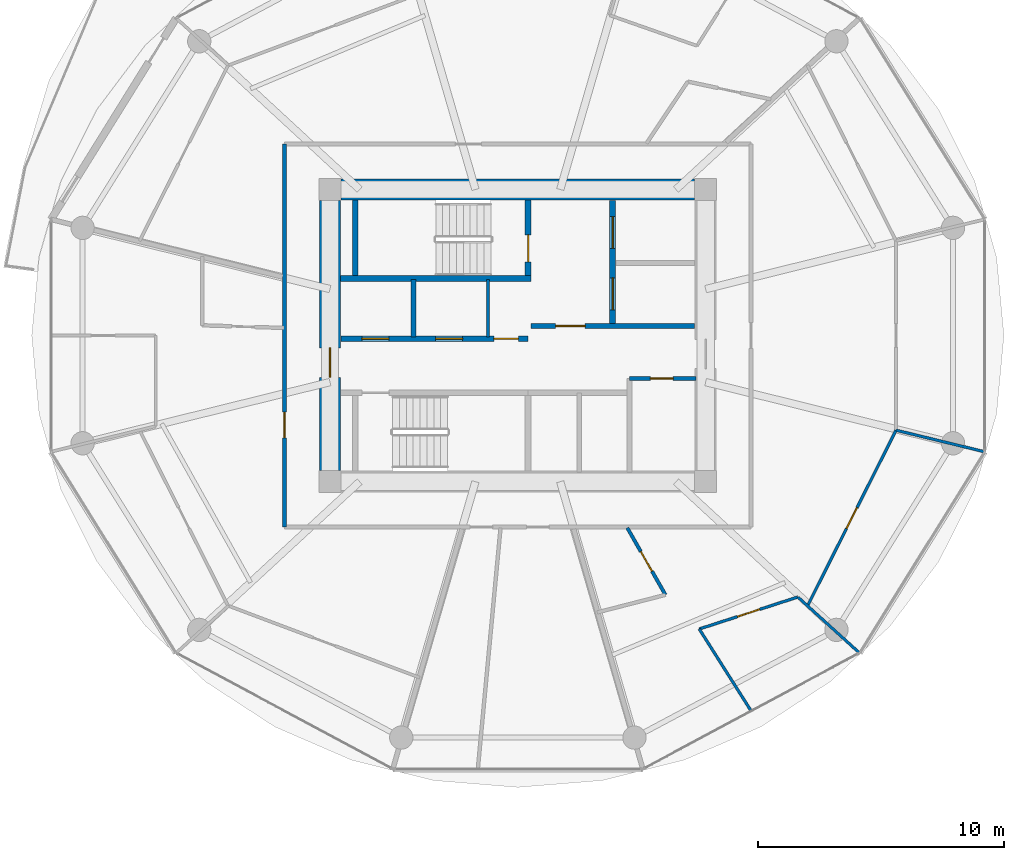
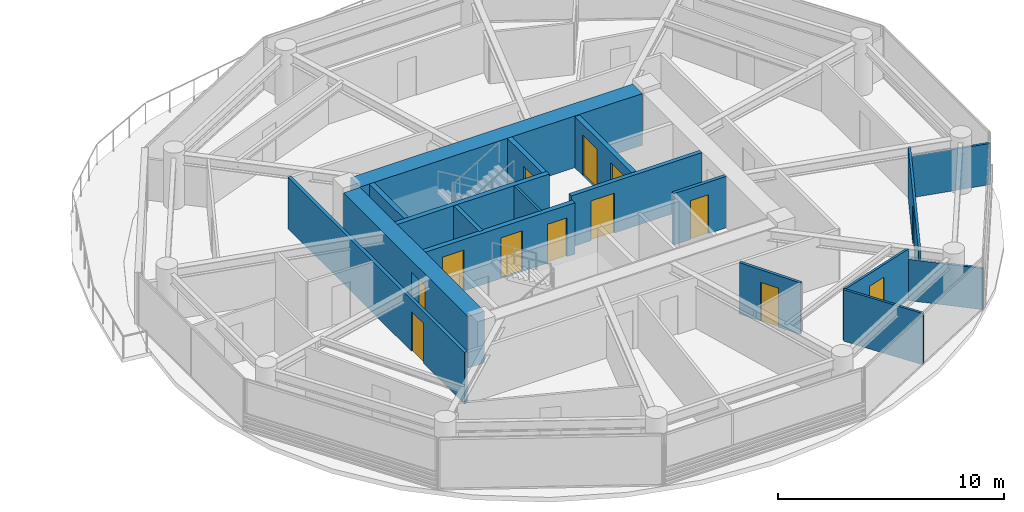
# One storey, part 19 of 27: 18 walls, 13 doors, 13 openings.
"""IFC4 building model written with IfcOpenShell, lengths in metres."""

from ifc_helpers import new_model, si_unit, direction, frame, frame_2d, origin, place, context, subcontext, project, spatial, rectangle, extrude, source, transform, mapped, material, layer, layer_set, type_object, type_shapes, element, fill, save


model = new_model("IFC4")

# Units and contexts
model_context = context("Model", 3, precision=1e-05, world=origin(), true_north=direction((0.0, 1.0)))
body_context = subcontext(model_context, "Body", "Model", "MODEL_VIEW")
ifc_project = project(units=[si_unit("LENGTHUNIT", "METRE"), si_unit("AREAUNIT", "SQUARE_METRE"), si_unit("VOLUMEUNIT", "CUBIC_METRE"), si_unit("PLANEANGLEUNIT", "RADIAN"), si_unit("MASSUNIT", "GRAM", prefix="KILO")], contexts=[model_context])

# Site, building, storey
site_placement = place(None, origin())
site = spatial("IfcSite", under=ifc_project, at=site_placement, CompositionType="ELEMENT")
building_placement = place(site_placement, origin())
building = spatial("IfcBuilding", under=site, at=building_placement, Name="Norrkilde Senior Care Towers", CompositionType="ELEMENT")
storey_placement = place(building_placement, frame((0.0, 0.0, 61.25)))
storey = spatial("IfcBuildingStorey", under=building, at=storey_placement, Name="L18", CompositionType="ELEMENT", Elevation=61.25)

# Wall
ifc_material_1 = material(Name="Concrete C60/75", Category="concrete")
ifc_layer_1 = layer(ifc_material_1, 0.85009765625)
ifc_layer_set_1 = layer_set([ifc_layer_1], Name="Concrete C60/75")
wall_type_1 = type_object("IfcWallType", Name="Core Shear Wall Z1 850", PredefinedType="SHEAR", material=ifc_layer_set_1)
shared_shape_1 = source(origin(), body_context, "Body", "SweptSolid", [
    extrude(rectangle(XDim=14.39990234375, YDim=0.85009765625, at=frame_2d((7.199951171875, 0.0))), origin(), (0.0, 0.0, 1.0), 2.7900390625),
])
wall_1_placement = place(storey_placement, frame((20.800048828125, 5.949951171875, 0.0), z_axis=(0.0, 0.0, 1.0), x_axis=(1.0, 0.0, 0.0)))
element("IfcWall", 1, at=wall_1_placement, inside=storey, type_object=wall_type_1, Name="L18 Core E North Shear Wall", PredefinedType="SHEAR", context=body_context, shape_type="MappedRepresentation", body=[
    mapped(shared_shape_1, transform((0.0, 0.0, 0.0), x_axis=(1.0, 0.0, 0.0), y_axis=(0.0, 1.0, 0.0), z_axis=(0.0, 0.0, 1.0), scale=1.0)),
])

# Wall, opening, door
shared_shape_2 = source(origin(), body_context, "Body", "SweptSolid", [
    extrude(rectangle(XDim=11.0, YDim=0.85009765625, at=frame_2d((5.5, 0.0))), origin(), (0.0, 0.0, 1.0), 2.7900390625),
])
type_shapes(wall_type_1, [shared_shape_1, shared_shape_2])
wall_2_placement = place(storey_placement, frame((20.35009765625, -5.5, 0.0), z_axis=(0.0, 0.0, 1.0), x_axis=(0.0, 1.0, 0.0)))
wall_2 = element("IfcWall", 2, at=wall_2_placement, inside=storey, type_object=wall_type_1, Name="L18 Core E West Shear Wall", PredefinedType="SHEAR", context=body_context, shape_type="MappedRepresentation", body=[
    mapped(shared_shape_2, transform((0.0, 0.0, 0.0), x_axis=(1.0, 0.0, 0.0), y_axis=(0.0, 1.0, 0.0), z_axis=(0.0, 0.0, 1.0), scale=1.0)),
])
opening_1_placement = place(wall_2_placement, frame((3.800048828125, 0.0, 0.0)))
opening_1 = element("IfcOpeningElement", 3, at=opening_1_placement, cuts=wall_2, Name="Opening D-04", PredefinedType="OPENING", context=body_context, shape_type="SweptSolid", body=[
    extrude(rectangle(XDim=1.199951171875, YDim=2.14990234375, at=frame_2d((0.60009765625, 1.074951171875))), frame((0.0, 0.43505859375, 0.0), z_axis=(0.0, -1.0, 0.0), x_axis=(1.0, 0.0, 0.0)), (0.0, 0.0, 1.0), 0.8701171875),
])
ifc_material_2 = material(Name="Galvanised Painted Steel", Category="steel")
door_type_1 = type_object("IfcDoorType", Name="Firefighting Lobby Fire Door 1200x2150", OperationType="NOTDEFINED", PredefinedType="DOOR", material=ifc_material_2)
shared_shape_3 = source(origin(), body_context, "Body", "SweptSolid", [
    extrude(rectangle(XDim=1.199951171875, YDim=2.14990234375, at=frame_2d((0.60009765625, 1.074951171875))), frame((0.0, 0.02490234375, 0.0), z_axis=(0.0, -1.0, 0.0), x_axis=(1.0, 0.0, 0.0)), (0.0, 0.0, 1.0), 0.050048828125),
])
type_shapes(door_type_1, [shared_shape_3])
door_1_placement = place(opening_1_placement, frame((1.199951171875, 0.0, 0.0), z_axis=(0.0, 0.0, 1.0), x_axis=(-1.0, 0.0, 0.0)))
door_1 = element("IfcDoor", 4, at=door_1_placement, inside=storey, type_object=door_type_1, Name="L18 Core E West Portal Door", OperationType="SINGLE_SWING_LEFT", OverallHeight=2.14990234375, OverallWidth=1.199951171875, PredefinedType="DOOR", context=body_context, shape_type="MappedRepresentation", body=[
    mapped(shared_shape_3, transform((0.0, 0.0, 0.0), x_axis=(1.0, 0.0, 0.0), y_axis=(0.0, 1.0, 0.0), z_axis=(0.0, 0.0, 1.0), scale=1.0)),
])
fill(opening_1, door_1)

# Wall, openings, doors
ifc_material_3 = material(Name="Concrete C45/55", Category="concrete")
ifc_layer_2 = layer(ifc_material_3, 0.239990234375)
ifc_layer_set_2 = layer_set([ifc_layer_2], Name="Concrete C45/55")
wall_type_2 = type_object("IfcWallType", Name="Lift and Plant Rated Enclosure Partition 240", PredefinedType="PARTITIONING", material=ifc_layer_set_2)
shared_shape_4 = source(origin(), body_context, "Body", "SweptSolid", [
    extrude(rectangle(XDim=5.0, YDim=0.239990234375, at=frame_2d((2.5, 0.0))), origin(), (0.0, 0.0, 1.0), 2.77490234375),
])
wall_3_placement = place(storey_placement, frame((31.860107421875, 0.5, 0.0), z_axis=(0.0, 0.0, 1.0), x_axis=(0.0, 1.0, 0.0)))
wall_3 = element("IfcWall", 5, at=wall_3_placement, inside=storey, type_object=wall_type_2, Name="WL-INT-L18-E-FFLE", PredefinedType="PARTITIONING", context=body_context, shape_type="MappedRepresentation", body=[
    mapped(shared_shape_4, transform((0.0, 0.0, 0.0), x_axis=(1.0, 0.0, 0.0), y_axis=(0.0, 1.0, 0.0), z_axis=(0.0, 0.0, 1.0), scale=1.0)),
])
opening_2_placement = place(wall_3_placement, frame((3.050048828125, 0.0, 0.0)))
opening_2 = element("IfcOpeningElement", 6, at=opening_2_placement, cuts=wall_3, Name="Opening LD-02", PredefinedType="OPENING", context=body_context, shape_type="SweptSolid", body=[
    extrude(rectangle(XDim=1.300048828125, YDim=2.199951171875, at=frame_2d((0.64990234375, 1.10009765625))), frame((0.0, 0.1298828125, 0.0), z_axis=(0.0, -1.0, 0.0), x_axis=(1.0, 0.0, 0.0)), (0.0, 0.0, 1.0), 0.260009765625),
])
opening_3_placement = place(wall_3_placement, frame((0.550048828125, 0.0, 0.0)))
opening_3 = element("IfcOpeningElement", 7, at=opening_3_placement, cuts=wall_3, Name="Opening LD-02", PredefinedType="OPENING", context=body_context, shape_type="SweptSolid", body=[
    extrude(rectangle(XDim=1.300048828125, YDim=2.199951171875, at=frame_2d((0.64990234375, 1.10009765625))), frame((0.0, 0.1298828125, 0.0), z_axis=(0.0, -1.0, 0.0), x_axis=(1.0, 0.0, 0.0)), (0.0, 0.0, 1.0), 0.260009765625),
])
ifc_material_4 = material(Name="Stainless Steel", Category="steel")
door_type_2 = type_object("IfcDoorType", Name="Stretcher and FFL Landing Sliding Door 1300x2200", OperationType="NOTDEFINED", PredefinedType="DOOR", material=ifc_material_4)
shared_shape_5 = source(origin(), body_context, "Body", "SweptSolid", [
    extrude(rectangle(XDim=1.300048828125, YDim=2.199951171875, at=frame_2d((0.64990234375, 1.10009765625))), frame((0.0, 0.02490234375, 0.0), z_axis=(0.0, -1.0, 0.0), x_axis=(1.0, 0.0, 0.0)), (0.0, 0.0, 1.0), 0.050048828125),
])
type_shapes(door_type_2, [shared_shape_5])
door_2_placement = place(opening_2_placement, origin())
door_2 = element("IfcDoor", 8, at=door_2_placement, inside=storey, type_object=door_type_2, Name="L18 Firefighting Lift E1 Landing Door", OperationType="SLIDING_TO_LEFT", OverallHeight=2.199951171875, OverallWidth=1.300048828125, PredefinedType="DOOR", context=body_context, shape_type="MappedRepresentation", body=[
    mapped(shared_shape_5, transform((0.0, 0.0, 0.0), x_axis=(1.0, 0.0, 0.0), y_axis=(0.0, 1.0, 0.0), z_axis=(0.0, 0.0, 1.0), scale=1.0)),
])
fill(opening_2, door_2)
door_3_placement = place(opening_3_placement, origin())
door_3 = element("IfcDoor", 9, at=door_3_placement, inside=storey, type_object=door_type_2, Name="L18 Stretcher Lift E1 Landing Door", OperationType="SLIDING_TO_RIGHT", OverallHeight=2.199951171875, OverallWidth=1.300048828125, PredefinedType="DOOR", context=body_context, shape_type="MappedRepresentation", body=[
    mapped(shared_shape_5, transform((0.0, 0.0, 0.0), x_axis=(1.0, 0.0, 0.0), y_axis=(0.0, 1.0, 0.0), z_axis=(0.0, 0.0, 1.0), scale=1.0)),
])
fill(opening_3, door_3)

# Wall, opening, door
ifc_layer_3 = layer(ifc_material_3, 0.2099609375)
ifc_layer_set_3 = layer_set([ifc_layer_3], Name="Concrete C45/55")
wall_type_3 = type_object("IfcWallType", Name="Firefighting Lobby Wall 210", PredefinedType="PARTITIONING", material=ifc_layer_set_3)
shared_shape_6 = source(origin(), body_context, "Body", "SweptSolid", [
    extrude(rectangle(XDim=6.659912109375, YDim=0.2099609375, at=frame_2d((3.330078125, 0.0))), origin(), (0.0, 0.0, 1.0), 2.77490234375),
])
type_shapes(wall_type_3, [shared_shape_6])
wall_4_placement = place(storey_placement, frame((28.5400390625, 0.389892578125, 0.0), z_axis=(0.0, 0.0, 1.0), x_axis=(1.0, 0.0, 0.0)))
wall_4 = element("IfcWall", 10, at=wall_4_placement, inside=storey, type_object=wall_type_3, Name="WL-INT-L18-E-FFLS", PredefinedType="PARTITIONING", context=body_context, shape_type="MappedRepresentation", body=[
    mapped(shared_shape_6, transform((0.0, 0.0, 0.0), x_axis=(1.0, 0.0, 0.0), y_axis=(0.0, 1.0, 0.0), z_axis=(0.0, 0.0, 1.0), scale=1.0)),
])
opening_4_placement = place(wall_4_placement, frame((1.0, 0.0, 0.0)))
opening_4 = element("IfcOpeningElement", 11, at=opening_4_placement, cuts=wall_4, Name="Opening D-04", PredefinedType="OPENING", context=body_context, shape_type="SweptSolid", body=[
    extrude(rectangle(XDim=1.199951171875, YDim=2.14990234375, at=frame_2d((0.60009765625, 1.074951171875))), frame((0.0, 0.114990234375, 0.0), z_axis=(0.0, -1.0, 0.0), x_axis=(1.0, 0.0, 0.0)), (0.0, 0.0, 1.0), 0.22998046875),
])
door_4_placement = place(opening_4_placement, frame((1.199951171875, 0.0, 0.0), z_axis=(0.0, 0.0, 1.0), x_axis=(-1.0, 0.0, 0.0)))
door_4 = element("IfcDoor", 12, at=door_4_placement, inside=storey, type_object=door_type_1, Name="L18 Firefighting Lobby E Door", OperationType="SINGLE_SWING_LEFT", OverallHeight=2.14990234375, OverallWidth=1.199951171875, PredefinedType="DOOR", context=body_context, shape_type="MappedRepresentation", body=[
    mapped(shared_shape_3, transform((0.0, 0.0, 0.0), x_axis=(1.0, 0.0, 0.0), y_axis=(0.0, 1.0, 0.0), z_axis=(0.0, 0.0, 1.0), scale=1.0)),
])
fill(opening_4, door_4)

# Wall, openings, doors
shared_shape_7 = source(origin(), body_context, "Body", "SweptSolid", [
    extrude(rectangle(XDim=7.619873046875, YDim=0.239990234375, at=frame_2d((3.81005859375, 0.0))), origin(), (0.0, 0.0, 1.0), 2.77490234375),
])
type_shapes(wall_type_2, [shared_shape_4, shared_shape_7])
wall_5_placement = place(storey_placement, frame((20.800048828125, -0.1298828125, 0.0), z_axis=(0.0, 0.0, 1.0), x_axis=(1.0, 0.0, 0.0)))
wall_5 = element("IfcWall", 13, at=wall_5_placement, inside=storey, type_object=wall_type_2, Name="WL-INT-L18-E-PKAS", PredefinedType="PARTITIONING", context=body_context, shape_type="MappedRepresentation", body=[
    mapped(shared_shape_7, transform((0.0, 0.0, 0.0), x_axis=(1.0, 0.0, 0.0), y_axis=(0.0, 1.0, 0.0), z_axis=(0.0, 0.0, 1.0), scale=1.0)),
])
opening_5_placement = place(wall_5_placement, frame((6.219970703125, 0.0, 0.0)))
opening_5 = element("IfcOpeningElement", 14, at=opening_5_placement, cuts=wall_5, Name="Opening D-10", PredefinedType="OPENING", context=body_context, shape_type="SweptSolid", body=[
    extrude(rectangle(XDim=1.0, YDim=2.10009765625, at=frame_2d((0.5, 1.050048828125))), frame((0.0, 0.1298828125, 0.0), z_axis=(0.0, -1.0, 0.0), x_axis=(1.0, 0.0, 0.0)), (0.0, 0.0, 1.0), 0.260009765625),
])
opening_6_placement = place(wall_5_placement, frame((0.85009765625, 0.0, 0.0)))
opening_6 = element("IfcOpeningElement", 15, at=opening_6_placement, cuts=wall_5, Name="Opening LD-01", PredefinedType="OPENING", context=body_context, shape_type="SweptSolid", body=[
    extrude(rectangle(XDim=1.10009765625, YDim=2.199951171875, at=frame_2d((0.550048828125, 1.10009765625))), frame((0.0, 0.1298828125, 0.0), z_axis=(0.0, -1.0, 0.0), x_axis=(1.0, 0.0, 0.0)), (0.0, 0.0, 1.0), 0.260009765625),
])
opening_7_placement = place(wall_5_placement, frame((3.85009765625, 0.0, 0.0)))
opening_7 = element("IfcOpeningElement", 16, at=opening_7_placement, cuts=wall_5, Name="Opening LD-01", PredefinedType="OPENING", context=body_context, shape_type="SweptSolid", body=[
    extrude(rectangle(XDim=1.10009765625, YDim=2.199951171875, at=frame_2d((0.550048828125, 1.10009765625))), frame((0.0, 0.1298828125, 0.0), z_axis=(0.0, -1.0, 0.0), x_axis=(1.0, 0.0, 0.0)), (0.0, 0.0, 1.0), 0.260009765625),
])
door_type_3 = type_object("IfcDoorType", Name="Plant and Riser Rated Door 1000x2100", OperationType="NOTDEFINED", PredefinedType="DOOR", material=ifc_material_2)
shared_shape_8 = source(origin(), body_context, "Body", "SweptSolid", [
    extrude(rectangle(XDim=1.0, YDim=2.10009765625, at=frame_2d((0.5, 1.050048828125))), frame((0.0, 0.02490234375, 0.0), z_axis=(0.0, -1.0, 0.0), x_axis=(1.0, 0.0, 0.0)), (0.0, 0.0, 1.0), 0.050048828125),
])
type_shapes(door_type_3, [shared_shape_8])
door_5_placement = place(opening_5_placement, frame((1.0, 0.0, 0.0), z_axis=(0.0, 0.0, 1.0), x_axis=(-1.0, 0.0, 0.0)))
door_5 = element("IfcDoor", 17, at=door_5_placement, inside=storey, type_object=door_type_3, Name="L18 Electrical Riser E Door", OperationType="SINGLE_SWING_LEFT", OverallHeight=2.10009765625, OverallWidth=1.0, PredefinedType="DOOR", context=body_context, shape_type="MappedRepresentation", body=[
    mapped(shared_shape_8, transform((0.0, 0.0, 0.0), x_axis=(1.0, 0.0, 0.0), y_axis=(0.0, 1.0, 0.0), z_axis=(0.0, 0.0, 1.0), scale=1.0)),
])
fill(opening_5, door_5)
door_type_4 = type_object("IfcDoorType", Name="Lift Landing Sliding Door 1100x2200", OperationType="NOTDEFINED", PredefinedType="DOOR", material=ifc_material_4)
shared_shape_9 = source(origin(), body_context, "Body", "SweptSolid", [
    extrude(rectangle(XDim=1.10009765625, YDim=2.199951171875, at=frame_2d((0.550048828125, 1.10009765625))), frame((0.0, 0.02490234375, 0.0), z_axis=(0.0, -1.0, 0.0), x_axis=(1.0, 0.0, 0.0)), (0.0, 0.0, 1.0), 0.050048828125),
])
type_shapes(door_type_4, [shared_shape_9])
door_6_placement = place(opening_6_placement, origin())
door_6 = element("IfcDoor", 18, at=door_6_placement, inside=storey, type_object=door_type_4, Name="L18 Passenger Lift E1 Landing Door", OperationType="SLIDING_TO_LEFT", OverallHeight=2.199951171875, OverallWidth=1.10009765625, PredefinedType="DOOR", context=body_context, shape_type="MappedRepresentation", body=[
    mapped(shared_shape_9, transform((0.0, 0.0, 0.0), x_axis=(1.0, 0.0, 0.0), y_axis=(0.0, 1.0, 0.0), z_axis=(0.0, 0.0, 1.0), scale=1.0)),
])
fill(opening_6, door_6)
door_7_placement = place(opening_7_placement, origin())
door_7 = element("IfcDoor", 19, at=door_7_placement, inside=storey, type_object=door_type_4, Name="L18 Passenger Lift E2 Landing Door", OperationType="SLIDING_TO_RIGHT", OverallHeight=2.199951171875, OverallWidth=1.10009765625, PredefinedType="DOOR", context=body_context, shape_type="MappedRepresentation", body=[
    mapped(shared_shape_9, transform((0.0, 0.0, 0.0), x_axis=(1.0, 0.0, 0.0), y_axis=(0.0, 1.0, 0.0), z_axis=(0.0, 0.0, 1.0), scale=1.0)),
])
fill(opening_7, door_7)

# Walls
ifc_material_5 = material(Name="Gypsum Acoustic Board")
ifc_layer_4 = layer(ifc_material_5, 0.114990234375)
ifc_layer_set_4 = layer_set([ifc_layer_4], Name="Gypsum Acoustic Board")
wall_type_4 = type_object("IfcWallType", Name="Internal Room Partition 115", PredefinedType="PARTITIONING", material=ifc_layer_set_4)
shared_shape_10 = source(origin(), body_context, "Body", "SweptSolid", [
    extrude(rectangle(XDim=2.330078125, YDim=0.114990234375, at=frame_2d((1.1650390625, 0.0))), origin(), (0.0, 0.0, 1.0), 2.77490234375),
])
wall_6_placement = place(storey_placement, frame((26.7900390625, -0.050048828125, 0.0), z_axis=(0.0, 0.0, 1.0), x_axis=(0.0, 1.0, 0.0)))
element("IfcWall", 20, at=wall_6_placement, inside=storey, type_object=wall_type_4, Name="WL-INT-L18-E-RISW", PredefinedType="PARTITIONING", context=body_context, shape_type="MappedRepresentation", body=[
    mapped(shared_shape_10, transform((0.0, 0.0, 0.0), x_axis=(1.0, 0.0, 0.0), y_axis=(0.0, 1.0, 0.0), z_axis=(0.0, 0.0, 1.0), scale=1.0)),
])
ifc_layer_5 = layer(ifc_material_3, 0.199951171875)
ifc_layer_set_5 = layer_set([ifc_layer_5], Name="Concrete C45/55")
wall_type_5 = type_object("IfcWallType", Name="Shaft Division and Plant Partition 200", PredefinedType="PARTITIONING", material=ifc_layer_set_5)
shared_shape_11 = source(origin(), body_context, "Body", "SweptSolid", [
    extrude(rectangle(XDim=2.330078125, YDim=0.199951171875, at=frame_2d((1.1650390625, 0.0))), origin(), (0.0, 0.0, 1.0), 2.77490234375),
])
type_shapes(wall_type_5, [shared_shape_11])
wall_7_placement = place(storey_placement, frame((23.75, -0.050048828125, 0.0), z_axis=(0.0, 0.0, 1.0), x_axis=(0.0, 1.0, 0.0)))
element("IfcWall", 21, at=wall_7_placement, inside=storey, type_object=wall_type_5, Name="WL-INT-L18-E-PL12", PredefinedType="PARTITIONING", context=body_context, shape_type="MappedRepresentation", body=[
    mapped(shared_shape_11, transform((0.0, 0.0, 0.0), x_axis=(1.0, 0.0, 0.0), y_axis=(0.0, 1.0, 0.0), z_axis=(0.0, 0.0, 1.0), scale=1.0)),
])

# Wall, opening, door
ifc_layer_6 = layer(ifc_material_5, 0.1650390625)
ifc_layer_set_6 = layer_set([ifc_layer_6], Name="Gypsum Acoustic Board")
wall_type_6 = type_object("IfcWallType", Name="Corridor Rated Partition 165", PredefinedType="PARTITIONING", material=ifc_layer_set_6)
shared_shape_12 = source(origin(), body_context, "Body", "SweptSolid", [
    extrude(rectangle(XDim=2.699951171875, YDim=0.1650390625, at=frame_2d((1.35009765625, 0.0))), origin(), (0.0, 0.0, 1.0), 2.77490234375),
])
wall_8_placement = place(storey_placement, frame((32.550048828125, -1.75, 0.0), z_axis=(0.0, 0.0, 1.0), x_axis=(1.0, 0.0, 0.0)))
wall_8 = element("IfcWall", 22, at=wall_8_placement, inside=storey, type_object=wall_type_6, Name="WL-INT-L18-E-CSN", PredefinedType="PARTITIONING", context=body_context, shape_type="MappedRepresentation", body=[
    mapped(shared_shape_12, transform((0.0, 0.0, 0.0), x_axis=(1.0, 0.0, 0.0), y_axis=(0.0, 1.0, 0.0), z_axis=(0.0, 0.0, 1.0), scale=1.0)),
])
opening_8_placement = place(wall_8_placement, frame((0.85009765625, 0.0, 0.0)))
opening_8 = element("IfcOpeningElement", 23, at=opening_8_placement, cuts=wall_8, Name="Opening D-12", PredefinedType="OPENING", context=body_context, shape_type="SweptSolid", body=[
    extrude(rectangle(XDim=0.925048828125, YDim=2.10009765625, at=frame_2d((0.46240234375, 1.050048828125))), frame((0.0, 0.092529296875, 0.0), z_axis=(0.0, -1.0, 0.0), x_axis=(1.0, 0.0, 0.0)), (0.0, 0.0, 1.0), 0.18505859375),
])
door_type_5 = type_object("IfcDoorType", Name="Core Wet Room Rated Door 925x2100", OperationType="NOTDEFINED", PredefinedType="DOOR", material=ifc_material_2)
shared_shape_13 = source(origin(), body_context, "Body", "SweptSolid", [
    extrude(rectangle(XDim=0.925048828125, YDim=2.10009765625, at=frame_2d((0.46240234375, 1.050048828125))), frame((0.0, 0.02490234375, 0.0), z_axis=(0.0, -1.0, 0.0), x_axis=(1.0, 0.0, 0.0)), (0.0, 0.0, 1.0), 0.050048828125),
])
type_shapes(door_type_5, [shared_shape_13])
door_8_placement = place(opening_8_placement, origin())
door_8 = element("IfcDoor", 24, at=door_8_placement, inside=storey, type_object=door_type_5, Name="L18 Core Utility E Door", OperationType="SINGLE_SWING_LEFT", OverallHeight=2.10009765625, OverallWidth=0.925048828125, PredefinedType="DOOR", context=body_context, shape_type="MappedRepresentation", body=[
    mapped(shared_shape_13, transform((0.0, 0.0, 0.0), x_axis=(1.0, 0.0, 0.0), y_axis=(0.0, 1.0, 0.0), z_axis=(0.0, 0.0, 1.0), scale=1.0)),
])
fill(opening_8, door_8)

shared_shape_14 = source(origin(), body_context, "Body", "SweptSolid", [
    extrude(rectangle(XDim=15.60009765625, YDim=0.1650390625, at=frame_2d((7.800048828125, 0.0))), origin(), (0.0, 0.0, 1.0), 2.77490234375),
])
type_shapes(wall_type_6, [shared_shape_12, shared_shape_14])
wall_9_placement = place(storey_placement, frame((18.5, -7.800048828125, 0.0), z_axis=(0.0, 0.0, 1.0), x_axis=(0.0, 1.0, 0.0)))
wall_9 = element("IfcWall", 25, at=wall_9_placement, inside=storey, type_object=wall_type_6, Name="WL-INT-L18-E-CRW-W-0", PredefinedType="PARTITIONING", context=body_context, shape_type="MappedRepresentation", body=[
    mapped(shared_shape_14, transform((0.0, 0.0, 0.0), x_axis=(1.0, 0.0, 0.0), y_axis=(0.0, 1.0, 0.0), z_axis=(0.0, 0.0, 1.0), scale=1.0)),
])
opening_9_placement = place(wall_9_placement, frame((3.63037109375, 0.0, 0.0)))
opening_9 = element("IfcOpeningElement", 26, at=opening_9_placement, cuts=wall_9, Name="Opening D-06", PredefinedType="OPENING", context=body_context, shape_type="SweptSolid", body=[
    extrude(rectangle(XDim=1.050048828125, YDim=2.14990234375, at=frame_2d((0.52490234375, 1.074951171875))), frame((0.0, 0.092529296875, 0.0), z_axis=(0.0, -1.0, 0.0), x_axis=(1.0, 0.0, 0.0)), (0.0, 0.0, 1.0), 0.18505859375),
])
ifc_material_6 = material(Name="Nordic Ash Timber", Category="wood")
door_type_6 = type_object("IfcDoorType", Name="Apartment Entrance Fire Door 1050x2150", OperationType="NOTDEFINED", PredefinedType="DOOR", material=ifc_material_6)
shared_shape_15 = source(origin(), body_context, "Body", "SweptSolid", [
    extrude(rectangle(XDim=1.050048828125, YDim=2.14990234375, at=frame_2d((0.52490234375, 1.074951171875))), frame((0.0, 0.02490234375, 0.0), z_axis=(0.0, -1.0, 0.0), x_axis=(1.0, 0.0, 0.0)), (0.0, 0.0, 1.0), 0.050048828125),
])
type_shapes(door_type_6, [shared_shape_15])
door_9_placement = place(opening_9_placement, frame((1.050048828125, 0.0, 0.0), z_axis=(0.0, 0.0, 1.0), x_axis=(-1.0, 0.0, 0.0)))
door_9 = element("IfcDoor", 27, at=door_9_placement, inside=storey, type_object=door_type_6, Name="Apartment 18A Entrance Door", OperationType="SINGLE_SWING_RIGHT", OverallHeight=2.14990234375, OverallWidth=1.050048828125, PredefinedType="DOOR", context=body_context, shape_type="MappedRepresentation", body=[
    mapped(shared_shape_15, transform((0.0, 0.0, 0.0), x_axis=(1.0, 0.0, 0.0), y_axis=(0.0, 1.0, 0.0), z_axis=(0.0, 0.0, 1.0), scale=1.0)),
])
fill(opening_9, door_9)

shared_shape_16 = source(origin(), body_context, "Body", "SweptSolid", [
    extrude(rectangle(XDim=8.017822265625, YDim=0.114990234375, at=frame_2d((4.0087890625, 0.0))), origin(), (0.0, 0.0, 1.0), 2.77490234375),
])
wall_10_placement = place(storey_placement, frame((39.794921875, -11.013916015625, 0.0), z_axis=(0.0, 0.0, 1.0), x_axis=(0.450134355233, 0.89296084026, 0.0)))
wall_10 = element("IfcWall", 28, at=wall_10_placement, inside=storey, type_object=wall_type_4, Name="WL-INT-L18-E-UBC-09-1", PredefinedType="PARTITIONING", context=body_context, shape_type="MappedRepresentation", body=[
    mapped(shared_shape_16, transform((0.0, 0.0, 0.0), x_axis=(1.0, 0.0, 0.0), y_axis=(0.0, 1.0, 0.0), z_axis=(0.0, 0.0, 1.0), scale=1.0)),
])
opening_10_placement = place(wall_10_placement, frame((3.533935546875, 0.0, 0.0)))
opening_10 = element("IfcOpeningElement", 29, at=opening_10_placement, cuts=wall_10, Name="Opening D-07", PredefinedType="OPENING", context=body_context, shape_type="SweptSolid", body=[
    extrude(rectangle(XDim=0.949951171875, YDim=2.10009765625, at=frame_2d((0.47509765625, 1.050048828125))), frame((0.0, 0.0673828125, 0.0), z_axis=(0.0, -1.0, 0.0), x_axis=(1.0, 0.0, 0.0)), (0.0, 0.0, 1.0), 0.135009765625),
])
door_type_7 = type_object("IfcDoorType", Name="Internal Suite Bedroom Door 950x2100", OperationType="NOTDEFINED", PredefinedType="DOOR", material=ifc_material_6)
shared_shape_17 = source(origin(), body_context, "Body", "SweptSolid", [
    extrude(rectangle(XDim=0.949951171875, YDim=2.10009765625, at=frame_2d((0.47509765625, 1.050048828125))), frame((0.0, 0.02490234375, 0.0), z_axis=(0.0, -1.0, 0.0), x_axis=(1.0, 0.0, 0.0)), (0.0, 0.0, 1.0), 0.050048828125),
])
type_shapes(door_type_7, [shared_shape_17])
door_10_placement = place(opening_10_placement, origin())
door_10 = element("IfcDoor", 30, at=door_10_placement, inside=storey, type_object=door_type_7, Name="Apartment 18C Bedroom 1 Door", OperationType="SINGLE_SWING_LEFT", OverallHeight=2.10009765625, OverallWidth=0.949951171875, PredefinedType="DOOR", context=body_context, shape_type="MappedRepresentation", body=[
    mapped(shared_shape_17, transform((0.0, 0.0, 0.0), x_axis=(1.0, 0.0, 0.0), y_axis=(0.0, 1.0, 0.0), z_axis=(0.0, 0.0, 1.0), scale=1.0)),
])
fill(opening_10, door_10)

ifc_layer_7 = layer(ifc_material_5, 0.139892578125)
ifc_layer_set_7 = layer_set([ifc_layer_7], Name="Gypsum Acoustic Board")
wall_type_7 = type_object("IfcWallType", Name="En-suite Wet Room Wall 140", PredefinedType="PARTITIONING", material=ifc_layer_set_7)
shared_shape_18 = source(origin(), body_context, "Body", "SweptSolid", [
    extrude(rectangle(XDim=3.14111328125, YDim=0.139892578125, at=frame_2d((1.570556640625, 0.0))), origin(), (0.0, 0.0, 1.0), 2.77490234375),
])
type_shapes(wall_type_7, [shared_shape_18])
wall_11_placement = place(storey_placement, frame((32.45849609375, -7.830078125, 0.0), z_axis=(0.0, 0.0, 1.0), x_axis=(0.494874486088, -0.868964465913, 0.0)))
wall_11 = element("IfcWall", 31, at=wall_11_placement, inside=storey, type_object=wall_type_7, Name="WL-INT-L18-E-UBTS-09", PredefinedType="PARTITIONING", context=body_context, shape_type="MappedRepresentation", body=[
    mapped(shared_shape_18, transform((0.0, 0.0, 0.0), x_axis=(1.0, 0.0, 0.0), y_axis=(0.0, 1.0, 0.0), z_axis=(0.0, 0.0, 1.0), scale=1.0)),
])
opening_11_placement = place(wall_11_placement, frame((1.110595703125, 0.0, 0.0)))
opening_11 = element("IfcOpeningElement", 32, at=opening_11_placement, cuts=wall_11, Name="Opening D-08", PredefinedType="OPENING", context=body_context, shape_type="SweptSolid", body=[
    extrude(rectangle(XDim=0.919921875, YDim=2.10009765625, at=frame_2d((0.4599609375, 1.050048828125))), frame((0.0, 0.079833984375, 0.0), z_axis=(0.0, -1.0, 0.0), x_axis=(1.0, 0.0, 0.0)), (0.0, 0.0, 1.0), 0.159912109375),
])
door_type_8 = type_object("IfcDoorType", Name="Accessible Wet Room Door 920x2100", OperationType="NOTDEFINED", PredefinedType="DOOR", material=ifc_material_6)
shared_shape_19 = source(origin(), body_context, "Body", "SweptSolid", [
    extrude(rectangle(XDim=0.919921875, YDim=2.10009765625, at=frame_2d((0.4599609375, 1.050048828125))), frame((0.0, 0.02490234375, 0.0), z_axis=(0.0, -1.0, 0.0), x_axis=(1.0, 0.0, 0.0)), (0.0, 0.0, 1.0), 0.050048828125),
])
type_shapes(door_type_8, [shared_shape_19])
door_11_placement = place(opening_11_placement, origin())
door_11 = element("IfcDoor", 33, at=door_11_placement, inside=storey, type_object=door_type_8, Name="Apartment 18C Bathroom Door", OperationType="SINGLE_SWING_LEFT", OverallHeight=2.10009765625, OverallWidth=0.919921875, PredefinedType="DOOR", context=body_context, shape_type="MappedRepresentation", body=[
    mapped(shared_shape_19, transform((0.0, 0.0, 0.0), x_axis=(1.0, 0.0, 0.0), y_axis=(0.0, 1.0, 0.0), z_axis=(0.0, 0.0, 1.0), scale=1.0)),
])
fill(opening_11, door_11)

# Walls
ifc_layer_8 = layer(ifc_material_3, 0.239990234375)
ifc_layer_set_8 = layer_set([ifc_layer_8], Name="Concrete C45/55")
wall_type_8 = type_object("IfcWallType", Name="Shaft and Stair Enclosure Wall 240", PredefinedType="PARTITIONING", material=ifc_layer_set_8)
shared_shape_20 = source(origin(), body_context, "Body", "SweptSolid", [
    extrude(rectangle(XDim=7.76513671875, YDim=0.239990234375, at=frame_2d((3.882568359375, 0.0))), origin(), (0.0, 0.0, 1.0), 2.7900390625),
])
wall_12_placement = place(storey_placement, frame((20.77490234375, 2.330078125, 0.0), z_axis=(0.0, 0.0, 1.0), x_axis=(1.0, 0.0, 0.0)))
element("IfcWall", 34, at=wall_12_placement, inside=storey, type_object=wall_type_8, Name="WL-INT-L18-E-ST1S", PredefinedType="PARTITIONING", context=body_context, shape_type="MappedRepresentation", body=[
    mapped(shared_shape_20, transform((0.0, 0.0, 0.0), x_axis=(1.0, 0.0, 0.0), y_axis=(0.0, 1.0, 0.0), z_axis=(0.0, 0.0, 1.0), scale=1.0)),
])
shared_shape_21 = source(origin(), body_context, "Body", "SweptSolid", [
    extrude(rectangle(XDim=3.074951171875, YDim=0.239990234375, at=frame_2d((1.53759765625, 0.0))), origin(), (0.0, 0.0, 1.0), 2.7900390625),
])
type_shapes(wall_type_8, [shared_shape_20, shared_shape_21])
wall_13_placement = place(storey_placement, frame((21.3798828125, 2.449951171875, 0.0), z_axis=(0.0, 0.0, 1.0), x_axis=(0.0, 1.0, 0.0)))
element("IfcWall", 35, at=wall_13_placement, inside=storey, type_object=wall_type_8, Name="WL-INT-L18-E-ST1W", PredefinedType="PARTITIONING", context=body_context, shape_type="MappedRepresentation", body=[
    mapped(shared_shape_21, transform((0.0, 0.0, 0.0), x_axis=(1.0, 0.0, 0.0), y_axis=(0.0, 1.0, 0.0), z_axis=(0.0, 0.0, 1.0), scale=1.0)),
])

# Wall, opening, door
wall_14_placement = place(storey_placement, frame((28.419921875, 2.449951171875, 0.0), z_axis=(0.0, 0.0, 1.0), x_axis=(0.0, 1.0, 0.0)))
wall_14 = element("IfcWall", 36, at=wall_14_placement, inside=storey, type_object=wall_type_8, Name="WL-INT-L18-E-ST1E", PredefinedType="PARTITIONING", context=body_context, shape_type="MappedRepresentation", body=[
    mapped(shared_shape_21, transform((0.0, 0.0, 0.0), x_axis=(1.0, 0.0, 0.0), y_axis=(0.0, 1.0, 0.0), z_axis=(0.0, 0.0, 1.0), scale=1.0)),
])
opening_12_placement = place(wall_14_placement, frame((0.550048828125, 0.0, 0.0)))
opening_12 = element("IfcOpeningElement", 37, at=opening_12_placement, cuts=wall_14, Name="Opening D-03", PredefinedType="OPENING", context=body_context, shape_type="SweptSolid", body=[
    extrude(rectangle(XDim=1.10009765625, YDim=2.14990234375, at=frame_2d((0.550048828125, 1.074951171875))), frame((0.0, 0.1298828125, 0.0), z_axis=(0.0, -1.0, 0.0), x_axis=(1.0, 0.0, 0.0)), (0.0, 0.0, 1.0), 0.260009765625),
])
door_type_9 = type_object("IfcDoorType", Name="Stairwell Protected Fire Door 1100x2150", OperationType="NOTDEFINED", PredefinedType="DOOR", material=ifc_material_2)
shared_shape_22 = source(origin(), body_context, "Body", "SweptSolid", [
    extrude(rectangle(XDim=1.10009765625, YDim=2.14990234375, at=frame_2d((0.550048828125, 1.074951171875))), frame((0.0, 0.02490234375, 0.0), z_axis=(0.0, -1.0, 0.0), x_axis=(1.0, 0.0, 0.0)), (0.0, 0.0, 1.0), 0.050048828125),
])
type_shapes(door_type_9, [shared_shape_22])
door_12_placement = place(opening_12_placement, origin())
door_12 = element("IfcDoor", 38, at=door_12_placement, inside=storey, type_object=door_type_9, Name="L18 Stair E1 Fire Door", OperationType="SINGLE_SWING_LEFT", OverallHeight=2.14990234375, OverallWidth=1.10009765625, PredefinedType="DOOR", context=body_context, shape_type="MappedRepresentation", body=[
    mapped(shared_shape_22, transform((0.0, 0.0, 0.0), x_axis=(1.0, 0.0, 0.0), y_axis=(0.0, 1.0, 0.0), z_axis=(0.0, 0.0, 1.0), scale=1.0)),
])
fill(opening_12, door_12)

# Walls
shared_shape_23 = source(origin(), body_context, "Body", "SweptSolid", [
    extrude(rectangle(XDim=3.974365234375, YDim=0.114990234375, at=frame_2d((1.9873046875, 0.0))), origin(), (0.0, 0.0, 1.0), 2.77490234375),
])
wall_15_placement = place(storey_placement, frame((35.388916015625, -11.9501953125, 0.0), z_axis=(0.0, 0.0, 1.0), x_axis=(0.534810918023, -0.844971764003, 0.0)))
element("IfcWall", 39, at=wall_15_placement, inside=storey, type_object=wall_type_4, Name="WL-INT-L18-E-UKTS-09", PredefinedType="PARTITIONING", context=body_context, shape_type="MappedRepresentation", body=[
    mapped(shared_shape_23, transform((0.0, 0.0, 0.0), x_axis=(1.0, 0.0, 0.0), y_axis=(0.0, 1.0, 0.0), z_axis=(0.0, 0.0, 1.0), scale=1.0)),
])
shared_shape_24 = source(origin(), body_context, "Body", "SweptSolid", [
    extrude(rectangle(XDim=3.728271484375, YDim=0.114990234375, at=frame_2d((1.8642578125, 0.0))), origin(), (0.0, 0.0, 1.0), 2.22509765625),
])
wall_16_placement = place(storey_placement, frame((43.40625, -3.854736328125, 0.0), z_axis=(0.0, 0.0, 1.0), x_axis=(0.971641177968, -0.236460189624, 0.0)))
element("IfcWall", 40, at=wall_16_placement, inside=storey, type_object=wall_type_4, Name="WL-INT-L18-E-UBR-09-2", PredefinedType="PARTITIONING", context=body_context, shape_type="MappedRepresentation", body=[
    mapped(shared_shape_24, transform((0.0, 0.0, 0.0), x_axis=(1.0, 0.0, 0.0), y_axis=(0.0, 1.0, 0.0), z_axis=(0.0, 0.0, 1.0), scale=1.0)),
])
shared_shape_25 = source(origin(), body_context, "Body", "SweptSolid", [
    extrude(rectangle(XDim=3.400390625, YDim=0.114990234375, at=frame_2d((1.7001953125, 0.0))), origin(), (0.0, 0.0, 1.0), 2.22509765625),
])
wall_17_placement = place(storey_placement, frame((39.4111328125, -10.655517578125, 0.0), z_axis=(0.0, 0.0, 1.0), x_axis=(0.740729005272, -0.671803945172, 0.0)))
element("IfcWall", 41, at=wall_17_placement, inside=storey, type_object=wall_type_4, Name="WL-INT-L18-E-UBR-09-1", PredefinedType="PARTITIONING", context=body_context, shape_type="MappedRepresentation", body=[
    mapped(shared_shape_25, transform((0.0, 0.0, 0.0), x_axis=(1.0, 0.0, 0.0), y_axis=(0.0, 1.0, 0.0), z_axis=(0.0, 0.0, 1.0), scale=1.0)),
])

# Wall, opening, door
shared_shape_26 = source(origin(), body_context, "Body", "SweptSolid", [
    extrude(rectangle(XDim=4.2197265625, YDim=0.114990234375, at=frame_2d((2.10986328125, 0.0))), origin(), (0.0, 0.0, 1.0), 2.77490234375),
])
type_shapes(wall_type_4, [shared_shape_10, shared_shape_16, shared_shape_23, shared_shape_24, shared_shape_25, shared_shape_26])
wall_18_placement = place(storey_placement, frame((35.388916015625, -11.9501953125, 0.0), z_axis=(0.0, 0.0, 1.0), x_axis=(0.951130539873, 0.308789080315, 0.0)))
wall_18 = element("IfcWall", 42, at=wall_18_placement, inside=storey, type_object=wall_type_4, Name="WL-INT-L18-E-UKTF-09", PredefinedType="PARTITIONING", context=body_context, shape_type="MappedRepresentation", body=[
    mapped(shared_shape_26, transform((0.0, 0.0, 0.0), x_axis=(1.0, 0.0, 0.0), y_axis=(0.0, 1.0, 0.0), z_axis=(0.0, 0.0, 1.0), scale=1.0)),
])
opening_13_placement = place(wall_18_placement, frame((1.635009765625, 0.0, 0.0)))
opening_13 = element("IfcOpeningElement", 43, at=opening_13_placement, cuts=wall_18, Name="Opening D-07", PredefinedType="OPENING", context=body_context, shape_type="SweptSolid", body=[
    extrude(rectangle(XDim=0.949951171875, YDim=2.10009765625, at=frame_2d((0.47509765625, 1.050048828125))), frame((0.0, 0.0673828125, 0.0), z_axis=(0.0, -1.0, 0.0), x_axis=(1.0, 0.0, 0.0)), (0.0, 0.0, 1.0), 0.135009765625),
])
door_13_placement = place(opening_13_placement, frame((0.949951171875, 0.0, 0.0), z_axis=(0.0, 0.0, 1.0), x_axis=(-1.0, 0.0, 0.0)))
door_13 = element("IfcDoor", 44, at=door_13_placement, inside=storey, type_object=door_type_7, Name="Apartment 18C Kitchen Door", OperationType="SINGLE_SWING_RIGHT", OverallHeight=2.10009765625, OverallWidth=0.949951171875, PredefinedType="DOOR", context=body_context, shape_type="MappedRepresentation", body=[
    mapped(shared_shape_17, transform((0.0, 0.0, 0.0), x_axis=(1.0, 0.0, 0.0), y_axis=(0.0, 1.0, 0.0), z_axis=(0.0, 0.0, 1.0), scale=1.0)),
])
fill(opening_13, door_13)

save(model, "model.ifc")
